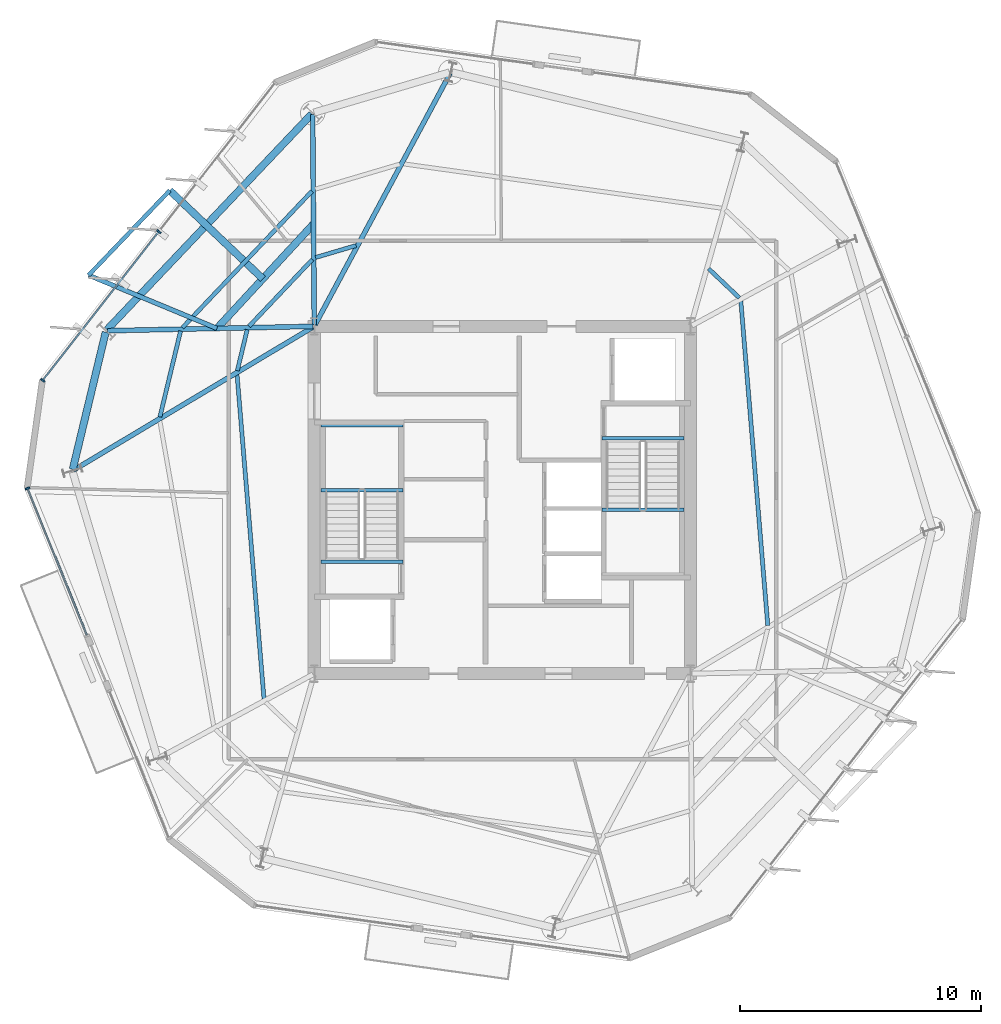
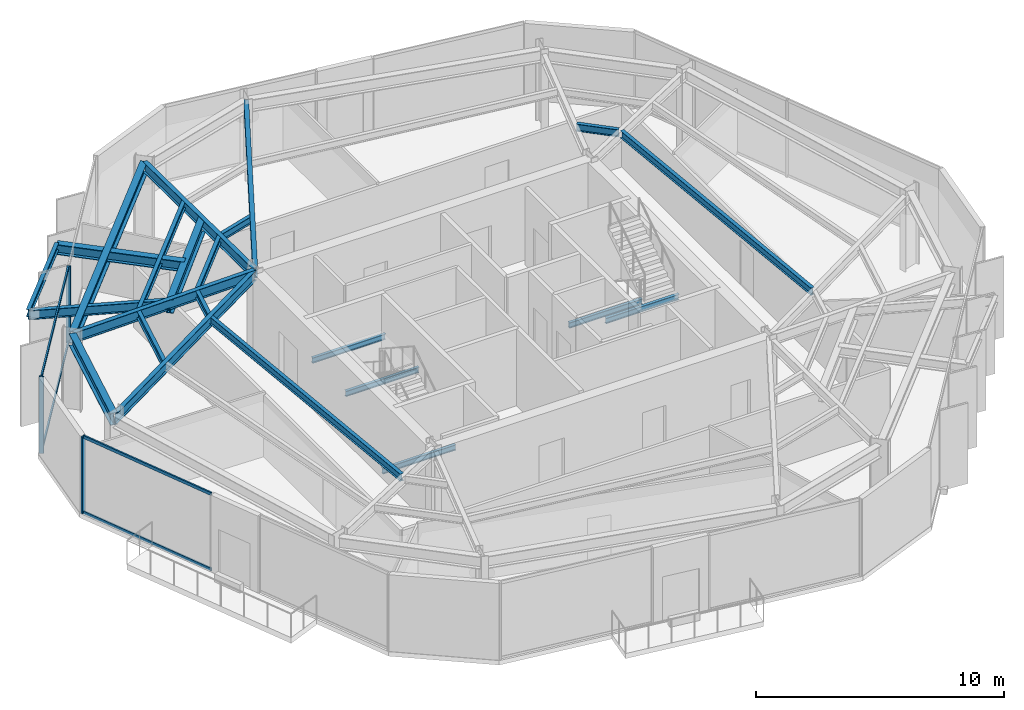
# One storey, part 3 of 11: 23 beams, 7 members, 2 elements without a shape of their own.
"""IFC4 building model written with IfcOpenShell, lengths in metres."""

from ifc_helpers import new_model, si_unit, direction, frame, origin, origin_2d, place, context, subcontext, project, spatial, rectangle, i_section, extrude, material, layer, layer_set, material_profile, profile_set, type_object, element, aggregate, save


model = new_model("IFC4")

# Units and contexts
model_context = context("Model", 3, precision=1e-05, world=origin(), true_north=direction((0.0, 1.0)))
body_context = subcontext(model_context, "Body", "Model", "MODEL_VIEW")
ifc_project = project(units=[si_unit("LENGTHUNIT", "METRE"), si_unit("AREAUNIT", "SQUARE_METRE"), si_unit("VOLUMEUNIT", "CUBIC_METRE"), si_unit("PLANEANGLEUNIT", "RADIAN"), si_unit("MASSUNIT", "GRAM", prefix="KILO")], contexts=[model_context])

# Site, building, storey
site_placement = place(None, origin())
site = spatial("IfcSite", under=ifc_project, at=site_placement, CompositionType="ELEMENT")
building_placement = place(site_placement, origin())
building = spatial("IfcBuilding", under=site, at=building_placement, Name="Kranzbogen Civic Tower", CompositionType="ELEMENT")
storey_placement = place(building_placement, frame((0.0, 0.0, 232.800048828125)))
storey = spatial("IfcBuildingStorey", under=building, at=storey_placement, Name="L56", CompositionType="ELEMENT", Elevation=232.800048828125)

# Beam
ifc_material_1 = material(Name="Steel S355", Category="steel")
ifc_material_profile_1 = material_profile(ifc_material_1, i_section(OverallWidth=0.18994140625, OverallDepth=0.449951171875, WebThickness=0.009521484375, FlangeThickness=0.0146484375, at=origin_2d()), Name="IPE 450")
ifc_profile_set_1 = profile_set([ifc_material_profile_1], Name="Steel S355")
beam_type_1 = type_object("IfcBeamType", Name="Braced Terrace Edge Beam IPE 450", PredefinedType="BEAM", material=ifc_profile_set_1)
beam_1_placement = place(storey_placement, frame((13.166015625, 32.114013671875, 3.52490234375), z_axis=(-0.923841191565, 0.382775982486, 0.0), x_axis=(-0.382775982486, -0.923841191565, 0.0)))
element("IfcBeam", 1, at=beam_1_placement, inside=storey, type_object=beam_type_1, Name="L57 back-spanned terrace beam L57-TB1-2", PredefinedType="BEAM", context=body_context, shape_type="SweptSolid", body=[
    extrude(i_section(OverallWidth=0.18994140625, OverallDepth=0.449951171875, WebThickness=0.009521484375, FlangeThickness=0.0146484375, at=origin_2d()), origin(), (0.0, 0.0, 1.0), 5.7607421875),
])

# Curtain wall, members
ifc_material_2 = material(Name="Pale Anodised Aluminium", Category="aluminium")
ifc_layer = layer(ifc_material_2, 0.219970703125, Name="Pale Anodised Aluminium")
ifc_layer_set = layer_set([ifc_layer], Name="Pale Anodised Aluminium")
curtain_wall_type = type_object("IfcCurtainWallType", Name="Zone 3 Stick Curtain Wall System CW-04", PredefinedType="USERDEFINED", material=ifc_layer_set)
curtain_wall_1_placement = place(storey_placement, origin())
curtain_wall_1 = element("IfcCurtainWall", 2, at=curtain_wall_1_placement, inside=storey, type_object=curtain_wall_type, Name="L56 curtain wall CW-L56-F2", ObjectType="STICK CURTAIN WALL", PredefinedType="USERDEFINED")
ifc_material_profile_2 = material_profile(ifc_material_2, rectangle(XDim=0.070068359375, YDim=0.199951171875, at=origin_2d()), Name="ALU-M 70x200")
ifc_profile_set_2 = profile_set([ifc_material_profile_2], Name="Pale Anodised Aluminium")
member_type_1 = type_object("IfcMemberType", Name="Curtain Wall Mullion ALU-M 70x200", PredefinedType="MULLION", material=ifc_profile_set_2)
member_1_placement = place(storey_placement, frame((10.760009765625, 36.1259765625, 0.0), z_axis=(0.0, 0.0, 1.0), x_axis=(-0.615631687439, -0.788034025548, 0.0)))
member_1 = element("IfcMember", 3, at=member_1_placement, type_object=member_type_1, Name="CW-04 mullion 2", PredefinedType="MULLION", context=body_context, shape_type="SweptSolid", body=[
    extrude(rectangle(XDim=0.070068359375, YDim=0.199951171875, at=origin_2d()), origin(), (0.0, 0.0, 1.0), 3.780029296875),
])
member_2_placement = place(storey_placement, frame((5.943359375, 29.960693359375, 0.0), z_axis=(0.0, 0.0, 1.0), x_axis=(-0.615631687439, -0.788034025548, 0.0)))
member_2 = element("IfcMember", 4, at=member_2_placement, type_object=member_type_1, Name="CW-04 mullion 3", PredefinedType="MULLION", context=body_context, shape_type="SweptSolid", body=[
    extrude(rectangle(XDim=0.070068359375, YDim=0.199951171875, at=origin_2d()), origin(), (0.0, 0.0, 1.0), 3.780029296875),
])

# Curtain wall, member
curtain_wall_2_placement = place(storey_placement, origin())
curtain_wall_2 = element("IfcCurtainWall", 5, at=curtain_wall_2_placement, inside=storey, type_object=curtain_wall_type, Name="L56 curtain wall CW-L56-F3-S1", ObjectType="STICK CURTAIN WALL", PredefinedType="USERDEFINED")
member_3_placement = place(storey_placement, frame((5.313232421875, 25.484130859375, 0.0), z_axis=(0.0, 0.0, 1.0), x_axis=(0.374550026583, -0.927206707044, 0.0)))
member_3 = element("IfcMember", 6, at=member_3_placement, type_object=member_type_1, Name="CW-04 mullion 1", PredefinedType="MULLION", context=body_context, shape_type="SweptSolid", body=[
    extrude(rectangle(XDim=0.070068359375, YDim=0.199951171875, at=origin_2d()), origin(), (0.0, 0.0, 1.0), 3.780029296875),
])

# Member
ifc_material_profile_3 = material_profile(ifc_material_2, rectangle(XDim=0.070068359375, YDim=0.14990234375, at=origin_2d()), Name="ALU-T 70x150")
ifc_profile_set_3 = profile_set([ifc_material_profile_3], Name="Pale Anodised Aluminium")
member_type_2 = type_object("IfcMemberType", Name="Curtain Wall Transom ALU-T 70x150", PredefinedType="USERDEFINED", material=ifc_profile_set_3)
member_4_placement = place(storey_placement, frame((10.741455078125, 36.102294921875, 0.030029296875), z_axis=(-0.615637329195, -0.788029618036, 0.0), x_axis=(0.788029618036, -0.615637329195, 0.0)))
member_4 = element("IfcMember", 7, at=member_4_placement, type_object=member_type_2, Name="CW-04 transom 2.1", ObjectType="TRANSOM", PredefinedType="USERDEFINED", context=body_context, shape_type="SweptSolid", body=[
    extrude(rectangle(XDim=0.070068359375, YDim=0.14990234375, at=origin_2d()), origin(), (0.0, 0.0, 1.0), 7.763671875),
])

member_5_placement = place(storey_placement, frame((10.741455078125, 36.102294921875, 3.75), z_axis=(-0.615637329195, -0.788029618036, 0.0), x_axis=(0.788029618036, -0.615637329195, 0.0)))
member_5 = element("IfcMember", 8, at=member_5_placement, type_object=member_type_2, Name="CW-04 transom 2.2", ObjectType="TRANSOM", PredefinedType="USERDEFINED", context=body_context, shape_type="SweptSolid", body=[
    extrude(rectangle(XDim=0.070068359375, YDim=0.14990234375, at=origin_2d()), origin(), (0.0, 0.0, 1.0), 7.763671875),
])

aggregate(curtain_wall_1, [member_1, member_2, member_4, member_5])

member_6_placement = place(storey_placement, frame((5.324462890625, 25.456298828125, 0.030029296875), z_axis=(0.374552021157, -0.927205901322, 0.0), x_axis=(0.927205901322, 0.374552021157, 0.0)))
member_6 = element("IfcMember", 9, at=member_6_placement, type_object=member_type_2, Name="CW-04 transom 1.1", ObjectType="TRANSOM", PredefinedType="USERDEFINED", context=body_context, shape_type="SweptSolid", body=[
    extrude(rectangle(XDim=0.070068359375, YDim=0.14990234375, at=origin_2d()), origin(), (0.0, 0.0, 1.0), 6.533203125),
])

member_7_placement = place(storey_placement, frame((5.324462890625, 25.456298828125, 3.75), z_axis=(0.374552021157, -0.927205901322, 0.0), x_axis=(0.927205901322, 0.374552021157, 0.0)))
member_7 = element("IfcMember", 10, at=member_7_placement, type_object=member_type_2, Name="CW-04 transom 1.2", ObjectType="TRANSOM", PredefinedType="USERDEFINED", context=body_context, shape_type="SweptSolid", body=[
    extrude(rectangle(XDim=0.070068359375, YDim=0.14990234375, at=origin_2d()), origin(), (0.0, 0.0, 1.0), 6.533203125),
])

aggregate(curtain_wall_2, [member_3, member_6, member_7])

# Beams
ifc_material_profile_4 = material_profile(ifc_material_1, i_section(OverallWidth=0.300048828125, OverallDepth=0.5, WebThickness=0.014404296875, FlangeThickness=0.028076171875, at=origin_2d()), Name="HEB 500")
ifc_profile_set_4 = profile_set([ifc_material_profile_4], Name="Steel S355")
beam_type_2 = type_object("IfcBeamType", Name="Perimeter Tube Spandrel Beam HEB 500", PredefinedType="SPANDREL", material=ifc_profile_set_4)
beam_2_placement = place(storey_placement, frame((15.06689453125, 34.169921875, 3.5), z_axis=(-0.725363783706, 0.688365732215, 0.0), x_axis=(-0.688365732215, -0.725363783706, 0.0)))
element("IfcBeam", 11, at=beam_2_placement, inside=storey, type_object=beam_type_2, Name="L57 back-spanned terrace beam L57-TB1-1", PredefinedType="SPANDREL", context=body_context, shape_type="SweptSolid", body=[
    extrude(i_section(OverallWidth=0.300048828125, OverallDepth=0.5, WebThickness=0.014404296875, FlangeThickness=0.028076171875, at=origin_2d()), origin(), (0.0, 0.0, 1.0), 5.318603515625),
])
ifc_material_profile_5 = material_profile(ifc_material_1, i_section(OverallWidth=0.300048828125, OverallDepth=0.60009765625, WebThickness=0.015380859375, FlangeThickness=0.030029296875, at=origin_2d()), Name="HEB 600")
ifc_profile_set_5 = profile_set([ifc_material_profile_5], Name="Steel S355")
beam_type_3 = type_object("IfcBeamType", Name="Perimeter Tube Spandrel Beam HEB 600", PredefinedType="SPANDREL", material=ifc_profile_set_5)
beam_3_placement = place(storey_placement, frame((17.092041015625, 41.0, 3.47998046875), z_axis=(-0.688373497874, -0.725356414065, 0.0), x_axis=(0.725356414065, -0.688373497874, 0.0)))
element("IfcBeam", 12, at=beam_3_placement, inside=storey, type_object=beam_type_3, Name="L56 perimeter spandrel beam 10", PredefinedType="SPANDREL", context=body_context, shape_type="SweptSolid", body=[
    extrude(i_section(OverallWidth=0.300048828125, OverallDepth=0.60009765625, WebThickness=0.015380859375, FlangeThickness=0.030029296875, at=origin_2d()), origin(), (0.0, 0.0, 1.0), 12.324951171875),
])
beam_4_placement = place(storey_placement, frame((8.552978515625, 31.9580078125, 3.47998046875), z_axis=(-0.233554380434, -0.972343741369, 0.0), x_axis=(0.972343741369, -0.233554380434, 0.0)))
element("IfcBeam", 13, at=beam_4_placement, inside=storey, type_object=beam_type_3, Name="L56 perimeter spandrel beam 11", PredefinedType="SPANDREL", context=body_context, shape_type="SweptSolid", body=[
    extrude(i_section(OverallWidth=0.300048828125, OverallDepth=0.60009765625, WebThickness=0.015380859375, FlangeThickness=0.030029296875, at=origin_2d()), origin(), (0.0, 0.0, 1.0), 5.852783203125),
])
ifc_material_profile_6 = material_profile(ifc_material_1, i_section(OverallWidth=0.300048828125, OverallDepth=0.699951171875, WebThickness=0.01708984375, FlangeThickness=0.031982421875, at=origin_2d()), Name="HEB 700")
ifc_profile_set_6 = profile_set([ifc_material_profile_6], Name="Steel S355")
beam_type_4 = type_object("IfcBeamType", Name="Perimeter Tube Spandrel Beam HEB 700", PredefinedType="SPANDREL", material=ifc_profile_set_6)
beam_5_placement = place(storey_placement, frame((17.16796875, 36.444091796875, 3.39990234375), z_axis=(-0.678733988671, -0.734384213218, 0.0), x_axis=(0.734384213218, -0.678733988671, 0.0)))
element("IfcBeam", 14, at=beam_5_placement, inside=storey, type_object=beam_type_4, Name="L57 balcony back-span header girder L57-TB1", PredefinedType="SPANDREL", context=body_context, shape_type="SweptSolid", body=[
    extrude(i_section(OverallWidth=0.300048828125, OverallDepth=0.699951171875, WebThickness=0.01708984375, FlangeThickness=0.031982421875, at=origin_2d()), origin(), (0.0, 0.0, 1.0), 5.896240234375),
])
ifc_material_profile_7 = material_profile(ifc_material_1, i_section(OverallWidth=0.199951171875, OverallDepth=0.5, WebThickness=0.01025390625, FlangeThickness=0.01611328125, at=origin_2d()), Name="IPE 500")
ifc_profile_set_7 = profile_set([ifc_material_profile_7], Name="Steel S355")
beam_type_5 = type_object("IfcBeamType", Name="Radial Tower Floor Girder IPE 500", PredefinedType="BEAM", material=ifc_profile_set_7)
beam_6_placement = place(storey_placement, frame((22.83203125, 42.68701171875, 3.530029296875), z_axis=(-0.473160413549, -0.880976289721, 0.0), x_axis=(0.880976289721, -0.473160413549, 0.0)))
element("IfcBeam", 15, at=beam_6_placement, inside=storey, type_object=beam_type_5, Name="L56 radial floor girder 09", PredefinedType="BEAM", context=body_context, shape_type="SweptSolid", body=[
    extrude(i_section(OverallWidth=0.199951171875, OverallDepth=0.5, WebThickness=0.01025390625, FlangeThickness=0.01611328125, at=origin_2d()), origin(), (0.0, 0.0, 1.0), 11.84375),
])
beam_7_placement = place(storey_placement, frame((17.133056640625, 40.98388671875, 3.530029296875), z_axis=(0.007667756557, -0.999970602323, 0.0), x_axis=(0.999970602323, 0.007667756557, 0.0)))
element("IfcBeam", 16, at=beam_7_placement, inside=storey, type_object=beam_type_5, Name="L56 radial floor girder 10", PredefinedType="BEAM", context=body_context, shape_type="SweptSolid", body=[
    extrude(i_section(OverallWidth=0.199951171875, OverallDepth=0.5, WebThickness=0.01025390625, FlangeThickness=0.01611328125, at=origin_2d()), origin(), (0.0, 0.0, 1.0), 8.72412109375),
])
beam_8_placement = place(storey_placement, frame((8.626953125, 32.01708984375, 3.530029296875), z_axis=(0.99977183191, 0.021360808018, 0.0), x_axis=(-0.021360808018, 0.99977183191, 0.0)))
element("IfcBeam", 17, at=beam_8_placement, inside=storey, type_object=beam_type_5, Name="L56 radial floor girder 11", PredefinedType="BEAM", context=body_context, shape_type="SweptSolid", body=[
    extrude(i_section(OverallWidth=0.199951171875, OverallDepth=0.5, WebThickness=0.01025390625, FlangeThickness=0.01611328125, at=origin_2d()), origin(), (0.0, 0.0, 1.0), 8.514892578125),
])
beam_9_placement = place(storey_placement, frame((7.22412109375, 26.239990234375, 3.530029296875), z_axis=(0.858458551809, 0.512882944565, 0.0), x_axis=(-0.512882944565, 0.858458551809, 0.0)))
element("IfcBeam", 18, at=beam_9_placement, inside=storey, type_object=beam_type_5, Name="L56 radial floor girder 12", PredefinedType="BEAM", context=body_context, shape_type="SweptSolid", body=[
    extrude(i_section(OverallWidth=0.199951171875, OverallDepth=0.5, WebThickness=0.01025390625, FlangeThickness=0.01611328125, at=origin_2d()), origin(), (0.0, 0.0, 1.0), 11.56005859375),
])
ifc_material_profile_8 = material_profile(ifc_material_1, i_section(OverallWidth=0.169921875, OverallDepth=0.360107421875, WebThickness=0.008056640625, FlangeThickness=0.0126953125, at=origin_2d()), Name="IPE 360")
ifc_profile_set_8 = profile_set([ifc_material_profile_8], Name="Steel S355")
beam_type_6 = type_object("IfcBeamType", Name="Secondary Composite Floor Joist IPE 360", PredefinedType="JOIST", material=ifc_profile_set_8)
beam_10_placement = place(storey_placement, frame((36.001953125, 19.797119140625, 3.599853515625), z_axis=(-0.082825426692, 0.996564071544, 0.0), x_axis=(-0.996564071544, -0.082825426692, 0.0)))
element("IfcBeam", 19, at=beam_10_placement, inside=storey, type_object=beam_type_6, Name="L56 secondary floor joist 2.06", PredefinedType="JOIST", context=body_context, shape_type="SweptSolid", body=[
    extrude(i_section(OverallWidth=0.169921875, OverallDepth=0.360107421875, WebThickness=0.008056640625, FlangeThickness=0.0126953125, at=origin_2d()), origin(), (0.0, 0.0, 1.0), 13.497314453125),
])
beam_11_placement = place(storey_placement, frame((34.820068359375, 33.383056640625, 3.599853515625), z_axis=(-0.725479767774, 0.688243493649, 0.0), x_axis=(-0.688243493649, -0.725479767774, 0.0)))
element("IfcBeam", 20, at=beam_11_placement, inside=storey, type_object=beam_type_6, Name="L56 secondary floor joist 2.07", PredefinedType="JOIST", context=body_context, shape_type="SweptSolid", body=[
    extrude(i_section(OverallWidth=0.169921875, OverallDepth=0.360107421875, WebThickness=0.008056640625, FlangeThickness=0.0126953125, at=origin_2d()), origin(), (0.0, 0.0, 1.0), 1.75048828125),
])
beam_12_placement = place(storey_placement, frame((18.93408203125, 35.550048828125, 3.599853515625), z_axis=(-0.958871214757, -0.283841493638, 0.0), x_axis=(0.283841493638, -0.958871214757, 0.0)))
element("IfcBeam", 21, at=beam_12_placement, inside=storey, type_object=beam_type_6, Name="L56 secondary floor joist 2.09", PredefinedType="JOIST", context=body_context, shape_type="SweptSolid", body=[
    extrude(i_section(OverallWidth=0.169921875, OverallDepth=0.360107421875, WebThickness=0.008056640625, FlangeThickness=0.0126953125, at=origin_2d()), origin(), (0.0, 0.0, 1.0), 1.751220703125),
])
beam_13_placement = place(storey_placement, frame((17.10205078125, 37.802001953125, 3.599853515625), z_axis=(-0.688282381634, -0.725442873789, 0.0), x_axis=(0.725442873789, -0.688282381634, 0.0)))
element("IfcBeam", 22, at=beam_13_placement, inside=storey, type_object=beam_type_6, Name="L56 secondary floor joist 1.10", PredefinedType="JOIST", context=body_context, shape_type="SweptSolid", body=[
    extrude(i_section(OverallWidth=0.169921875, OverallDepth=0.360107421875, WebThickness=0.008056640625, FlangeThickness=0.0126953125, at=origin_2d()), origin(), (0.0, 0.0, 1.0), 7.804931640625),
])
beam_14_placement = place(storey_placement, frame((17.123046875, 34.971923828125, 3.599853515625), z_axis=(-0.688175084876, -0.725544659243, 0.0), x_axis=(0.725544659243, -0.688175084876, 0.0)))
element("IfcBeam", 23, at=beam_14_placement, inside=storey, type_object=beam_type_6, Name="L56 secondary floor joist 2.10", PredefinedType="JOIST", context=body_context, shape_type="SweptSolid", body=[
    extrude(i_section(OverallWidth=0.169921875, OverallDepth=0.360107421875, WebThickness=0.008056640625, FlangeThickness=0.0126953125, at=origin_2d()), origin(), (0.0, 0.0, 1.0), 3.82177734375),
])
beam_15_placement = place(storey_placement, frame((11.656005859375, 32.00390625, 3.599853515625), z_axis=(-0.233534367714, -0.972348548154, 0.0), x_axis=(0.972348548154, -0.233534367714, 0.0)))
element("IfcBeam", 24, at=beam_15_placement, inside=storey, type_object=beam_type_6, Name="L56 secondary floor joist 1.11", PredefinedType="JOIST", context=body_context, shape_type="SweptSolid", body=[
    extrude(i_section(OverallWidth=0.169921875, OverallDepth=0.360107421875, WebThickness=0.008056640625, FlangeThickness=0.0126953125, at=origin_2d()), origin(), (0.0, 0.0, 1.0), 3.6611328125),
])
beam_16_placement = place(storey_placement, frame((14.4189453125, 32.06298828125, 3.599853515625), z_axis=(-0.233631438607, -0.972325228972, 0.0), x_axis=(0.972325228972, -0.233631438607, 0.0)))
element("IfcBeam", 25, at=beam_16_placement, inside=storey, type_object=beam_type_6, Name="L56 secondary floor joist 2.11", PredefinedType="JOIST", context=body_context, shape_type="SweptSolid", body=[
    extrude(i_section(OverallWidth=0.169921875, OverallDepth=0.360107421875, WebThickness=0.008056640625, FlangeThickness=0.0126953125, at=origin_2d()), origin(), (0.0, 0.0, 1.0), 1.750244140625),
])
beam_17_placement = place(storey_placement, frame((13.998046875, 30.202880859375, 3.599853515625), z_axis=(0.082825426692, -0.996564071544, 0.0), x_axis=(0.996564071544, 0.082825426692, 0.0)))
element("IfcBeam", 26, at=beam_17_placement, inside=storey, type_object=beam_type_6, Name="L56 secondary floor joist 2.12", PredefinedType="JOIST", context=body_context, shape_type="SweptSolid", body=[
    extrude(i_section(OverallWidth=0.169921875, OverallDepth=0.360107421875, WebThickness=0.008056640625, FlangeThickness=0.0126953125, at=origin_2d()), origin(), (0.0, 0.0, 1.0), 13.497314453125),
])
beam_18_placement = place(storey_placement, frame((11.208984375, 37.8310546875, 3.570068359375), z_axis=(-0.691836677092, -0.722054023069, 0.0), x_axis=(0.722054023069, -0.691836677092, 0.0)))
element("IfcBeam", 27, at=beam_18_placement, inside=storey, type_object=beam_type_6, Name="L57 terrace outer edge trimmer L57-TB1", PredefinedType="JOIST", context=body_context, shape_type="SweptSolid", body=[
    extrude(i_section(OverallWidth=0.169921875, OverallDepth=0.360107421875, WebThickness=0.008056640625, FlangeThickness=0.0126953125, at=origin_2d()), origin(), (0.0, 0.0, 1.0), 4.86376953125),
])
ifc_material_profile_9 = material_profile(ifc_material_1, i_section(OverallWidth=0.135009765625, OverallDepth=0.27001953125, WebThickness=0.006591796875, FlangeThickness=0.01025390625, at=origin_2d()), Name="IPE 270")
ifc_profile_set_9 = profile_set([ifc_material_profile_9], Name="Steel S355")
beam_type_7 = type_object("IfcBeamType", Name="Stair Landing Support Beam IPE 270", PredefinedType="JOIST", material=ifc_profile_set_9)
for number, where, z_axis, x_axis, name in (
    (28, (20.8798828125, 22.43994140625, -0.35498046875), (-1.0, 0.0, 0.0), (0.0, -1.0, 0.0), "L56 ST-T1 stair floor header beam"),
    (29, (20.8798828125, 25.39990234375, 1.6650390625), (-1.0, 0.0, 0.0), (0.0, -1.0, 0.0), "L56 ST-T1 landing support beam 1.1"),
    (30, (20.8798828125, 28.10009765625, 1.6650390625), (-1.0, 0.0, 0.0), (0.0, -1.0, 0.0), "L56 ST-T1 landing support beam 1.2"),
    (31, (29.1201171875, 27.56005859375, -0.35498046875), (1.0, 0.0, 0.0), (0.0, 1.0, 0.0), "L56 ST-T2 stair floor header beam"),
    (32, (29.1201171875, 24.60009765625, 1.6650390625), (1.0, 0.0, 0.0), (0.0, 1.0, 0.0), "L56 ST-T2 landing support beam 1.1"),
):
    element("IfcBeam", number, at=place(storey_placement, frame(where, z_axis=z_axis, x_axis=x_axis)), inside=storey, type_object=beam_type_7, Name=name, PredefinedType="JOIST", context=body_context, shape_type="SweptSolid", body=[
        extrude(i_section(OverallWidth=0.135009765625, OverallDepth=0.27001953125, WebThickness=0.006591796875, FlangeThickness=0.01025390625, at=origin_2d()), origin(), (0.0, 0.0, 1.0), 3.409912109375),
    ])

save(model, "model.ifc")
